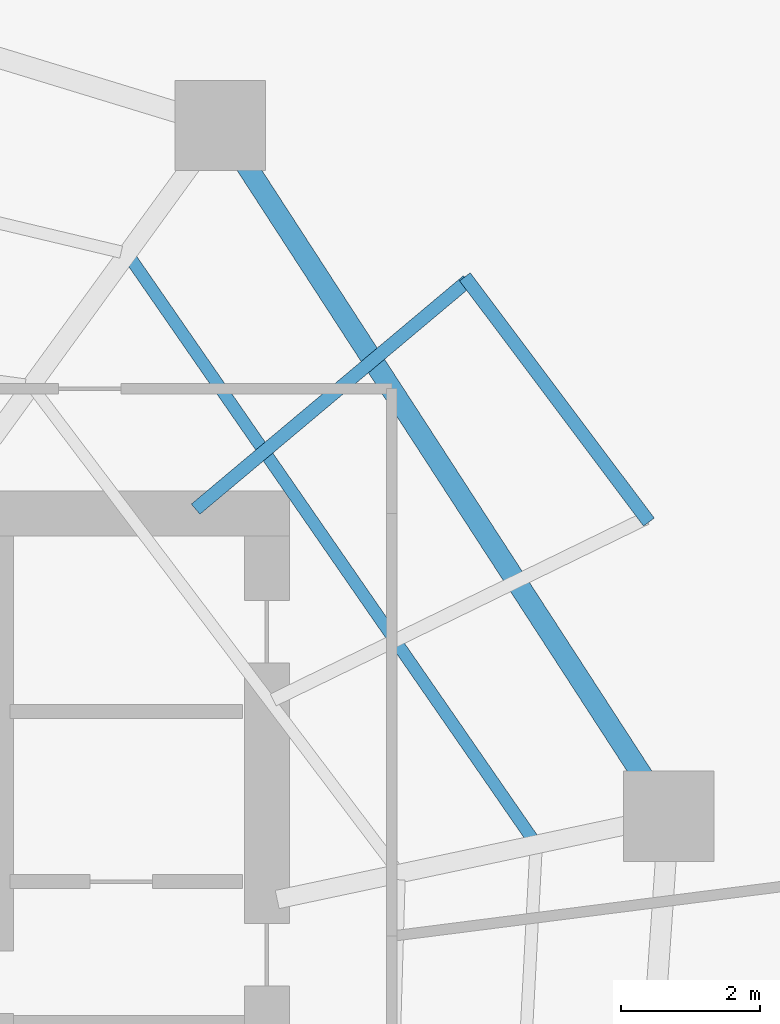
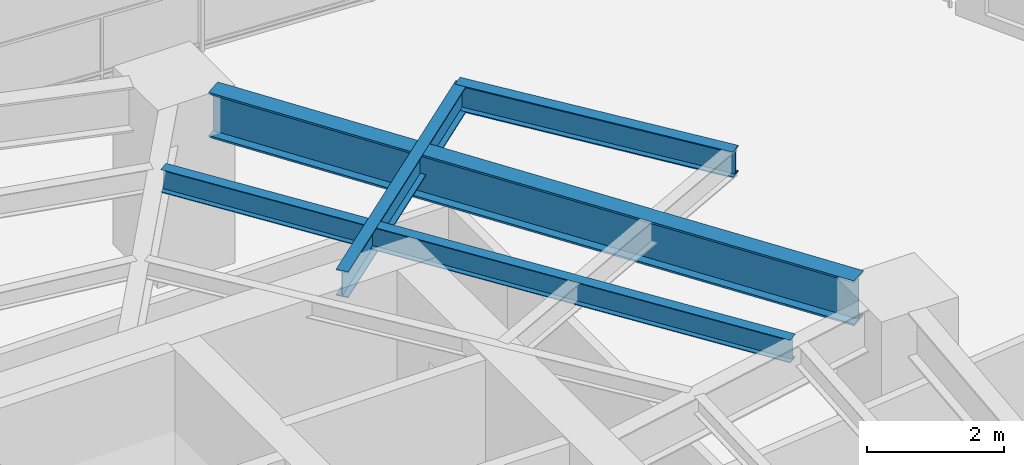
# One storey, part 21 of 28: 4 beams.
"""IFC4 building model written with IfcOpenShell, lengths in metres."""

from ifc_helpers import new_model, si_unit, direction, frame, origin, origin_2d, place, context, subcontext, project, spatial, i_section, extrude, material, material_profile, profile_set, type_object, element, save


model = new_model("IFC4")

# Units and contexts
model_context = context("Model", 3, precision=1e-05, world=origin(), true_north=direction((0.0, 1.0)))
body_context = subcontext(model_context, "Body", "Model", "MODEL_VIEW")
ifc_project = project(units=[si_unit("LENGTHUNIT", "METRE"), si_unit("AREAUNIT", "SQUARE_METRE"), si_unit("VOLUMEUNIT", "CUBIC_METRE"), si_unit("PLANEANGLEUNIT", "RADIAN"), si_unit("MASSUNIT", "GRAM", prefix="KILO")], contexts=[model_context])

# Site, building, storey
site_placement = place(None, origin())
site = spatial("IfcSite", under=ifc_project, at=site_placement, CompositionType="ELEMENT")
building_placement = place(site_placement, origin())
building = spatial("IfcBuilding", under=site, at=building_placement, Name="Qarnah Convention Tower", CompositionType="ELEMENT")
storey_placement = place(building_placement, frame((0.0, 0.0, 54.60009765625)))
storey = spatial("IfcBuildingStorey", under=building, at=storey_placement, Name="L13", CompositionType="ELEMENT", Elevation=54.60009765625)

# Beams
ifc_material = material(Name="Structural steel S355JR", Category="steel")
ifc_material_profile_1 = material_profile(ifc_material, i_section(OverallWidth=0.19189453125, OverallDepth=0.464111328125, WebThickness=0.010986328125, FlangeThickness=0.01806640625, at=origin_2d()), Name="W460X89")
ifc_profile_set_1 = profile_set([ifc_material_profile_1], Name="Structural steel S355JR")
beam_type_1 = type_object("IfcBeamType", Name="BM-CANT-W460A", PredefinedType="BEAM", material=ifc_profile_set_1)
beam_1_placement = place(storey_placement, frame((46.572021484375, 34.263916015625, 2.93798828125), z_axis=(0.765964185984, 0.64288324429, 0.0), x_axis=(-0.64288324429, 0.765964185984, 0.0)))
element("IfcBeam", 1, at=beam_1_placement, inside=storey, type_object=beam_type_1, Name="L13 beam BM-L13-CNT-01-2", PredefinedType="BEAM", context=body_context, shape_type="SweptSolid", body=[
    extrude(i_section(OverallWidth=0.19189453125, OverallDepth=0.464111328125, WebThickness=0.010986328125, FlangeThickness=0.01806640625, at=origin_2d()), origin(), (0.0, 0.0, 1.0), 5.11767578125),
])
beam_2_placement = place(storey_placement, frame((53.10107421875, 34.077880859375, 2.93798828125), z_axis=(-0.600282994859, 0.799787675626, 0.0), x_axis=(-0.799787675626, -0.600282994859, 0.0)))
element("IfcBeam", 2, at=beam_2_placement, inside=storey, type_object=beam_type_1, Name="L13 spandrel BM-L13-CTIE-01", PredefinedType="SPANDREL", context=body_context, shape_type="SweptSolid", body=[
    extrude(i_section(OverallWidth=0.19189453125, OverallDepth=0.464111328125, WebThickness=0.010986328125, FlangeThickness=0.01806640625, at=origin_2d()), origin(), (0.0, 0.0, 1.0), 4.41650390625),
])
ifc_material_profile_2 = material_profile(ifc_material, i_section(OverallWidth=0.177978515625, OverallDepth=0.407958984375, WebThickness=0.008056640625, FlangeThickness=0.012939453125, at=origin_2d()), Name="W410X60")
ifc_profile_set_2 = profile_set([ifc_material_profile_2], Name="Structural steel S355JR")
beam_type_2 = type_object("IfcBeamType", Name="BM-JST-W410", PredefinedType="JOIST", material=ifc_profile_set_2)
beam_3_placement = place(storey_placement, frame((51.427001953125, 29.509033203125, 2.9658203125), z_axis=(-0.569141318833, 0.822239721248, 0.0), x_axis=(-0.822239721248, -0.569141318833, 0.0)))
element("IfcBeam", 3, at=beam_3_placement, inside=storey, type_object=beam_type_2, Name="L13 joist BM-L13-SJST-01", PredefinedType="JOIST", context=body_context, shape_type="SweptSolid", body=[
    extrude(i_section(OverallWidth=0.177978515625, OverallDepth=0.407958984375, WebThickness=0.008056640625, FlangeThickness=0.012939453125, at=origin_2d()), origin(), (0.0, 0.0, 1.0), 10.169921875),
])
ifc_material_profile_3 = material_profile(ifc_material, i_section(OverallWidth=0.300048828125, OverallDepth=0.800048828125, WebThickness=0.01806640625, FlangeThickness=0.032958984375, at=origin_2d()), Name="HEB800")
ifc_profile_set_3 = profile_set([ifc_material_profile_3], Name="Structural steel S355JR")
beam_type_3 = type_object("IfcBeamType", Name="BM-RING-HEB800", PredefinedType="BEAM", material=ifc_profile_set_3)
beam_4_placement = place(storey_placement, frame((53.0390625, 30.3779296875, 2.77001953125), z_axis=(-0.544579515688, 0.838709217246, 0.0), x_axis=(-0.838709217246, -0.544579515688, 0.0)))
element("IfcBeam", 4, at=beam_4_placement, inside=storey, type_object=beam_type_3, Name="L13 beam BM-L13-SPN-01", PredefinedType="BEAM", context=body_context, shape_type="SweptSolid", body=[
    extrude(i_section(OverallWidth=0.300048828125, OverallDepth=0.800048828125, WebThickness=0.01806640625, FlangeThickness=0.032958984375, at=origin_2d()), origin(), (0.0, 0.0, 1.0), 10.58056640625),
])

save(model, "model.ifc")
